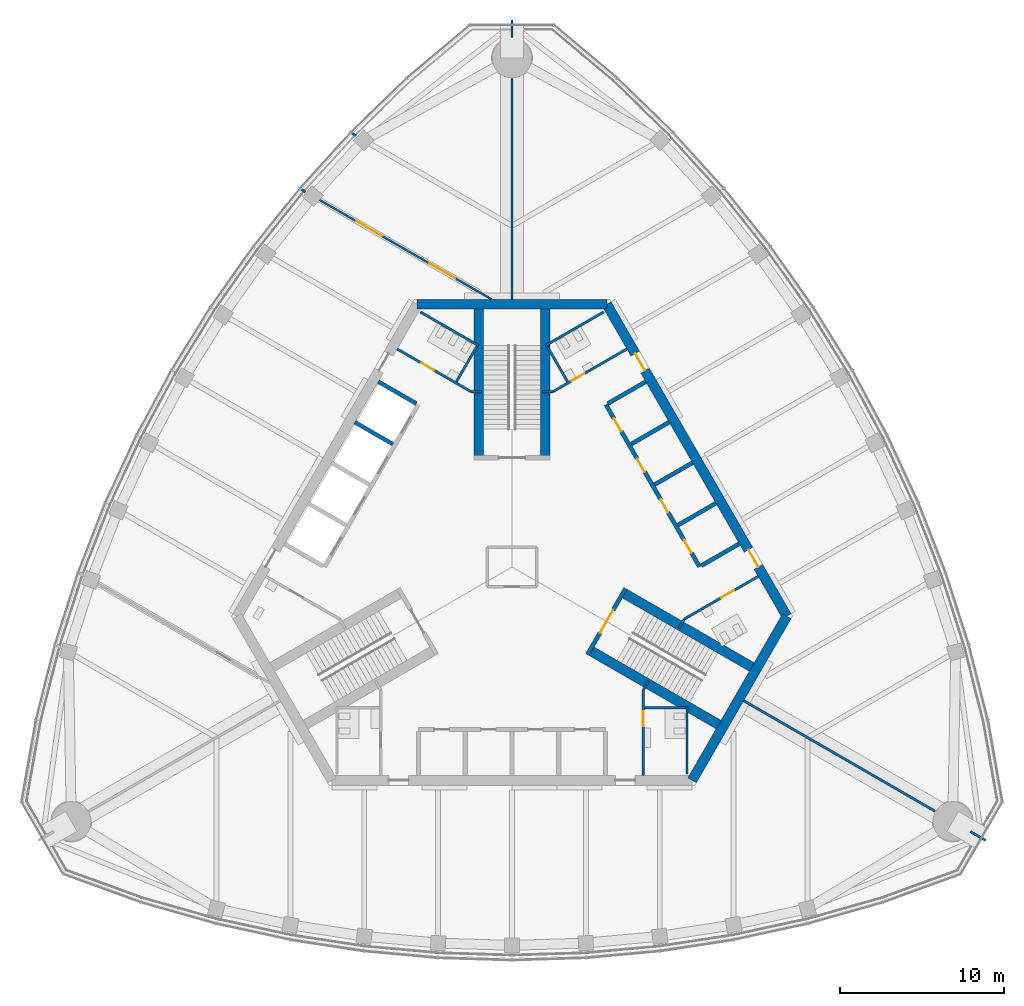
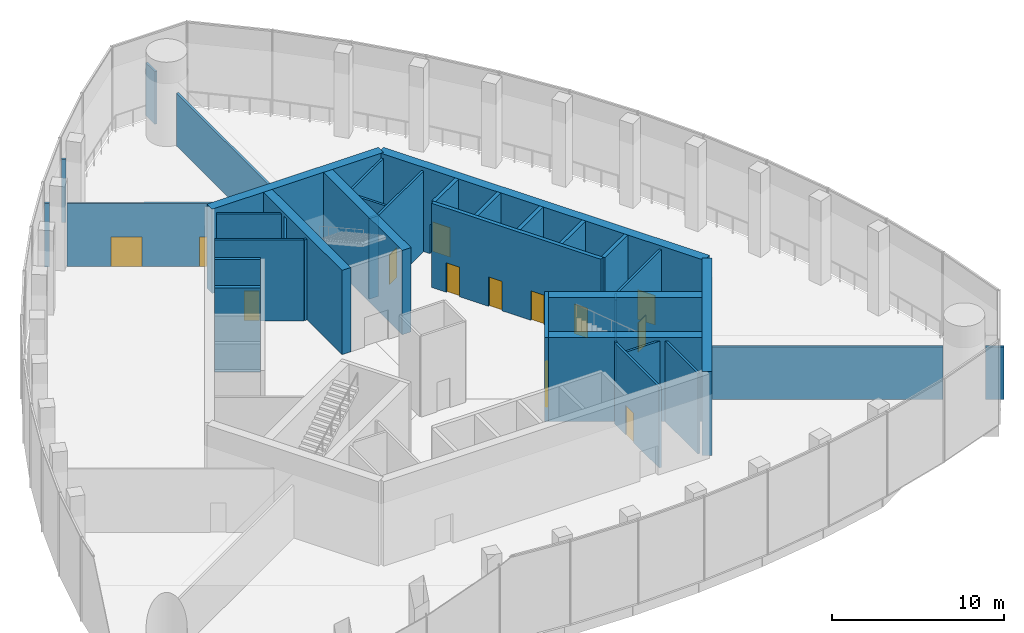
# One storey, part 10 of 15: 37 walls, 13 doors, 13 openings.
"""IFC4 building model written with IfcOpenShell, lengths in metres."""

from ifc_helpers import new_model, si_unit, direction, frame, frame_2d, origin, place, context, subcontext, project, spatial, rectangle, extrude, material, layer, layer_set, type_object, element, fill, save


model = new_model("IFC4")

# Units and contexts
model_context = context("Model", 3, precision=1e-05, world=origin(), true_north=direction((0.0, 1.0)))
body_context = subcontext(model_context, "Body", "Model", "MODEL_VIEW")
ifc_project = project(units=[si_unit("LENGTHUNIT", "METRE"), si_unit("AREAUNIT", "SQUARE_METRE"), si_unit("VOLUMEUNIT", "CUBIC_METRE"), si_unit("PLANEANGLEUNIT", "RADIAN"), si_unit("MASSUNIT", "GRAM", prefix="KILO")], contexts=[model_context])

# Site, building, storey
site_placement = place(None, origin())
site = spatial("IfcSite", under=ifc_project, at=site_placement, CompositionType="ELEMENT")
building_placement = place(site_placement, origin())
building = spatial("IfcBuilding", under=site, at=building_placement, Name="Trefoil Bronze Tower", CompositionType="ELEMENT")
storey_placement = place(building_placement, frame((0.0, 0.0, 322.5)))
storey = spatial("IfcBuildingStorey", under=building, at=storey_placement, Name="L74", CompositionType="ELEMENT", Elevation=322.5)

# Wall
ifc_material_1 = material(Name="Concrete B80", Category="concrete")
ifc_layer_1 = layer(ifc_material_1, 0.60009765625)
ifc_layer_set_1 = layer_set([ifc_layer_1], Name="Core wall 600")
wall_type_1 = type_object("IfcWallType", Name="Core wall 600", PredefinedType="SHEAR", material=ifc_layer_set_1)
wall_1_placement = place(storey_placement, frame((10.9697265625, -13.0, 0.0), z_axis=(0.0, 0.0, 1.0), x_axis=(0.499995765644, 0.866027848477, 0.0)))
element("IfcWall", 1, at=wall_1_placement, inside=storey, type_object=wall_type_1, Name="Core short wall 1 L74", PredefinedType="SHEAR", context=body_context, shape_type="SweptSolid", body=[
    extrude(rectangle(XDim=11.546875, YDim=0.60009765625, at=frame_2d((5.7734375, 0.0))), origin(), (0.0, 0.0, 1.0), 6.0),
])

# Wall, openings, doors
wall_2_placement = place(storey_placement, frame((16.7431640625, -3.0, 0.0), z_axis=(0.0, 0.0, 1.0), x_axis=(-0.500002442456, 0.866023993627, 0.0)))
wall_2 = element("IfcWall", 2, at=wall_2_placement, inside=storey, type_object=wall_type_1, Name="Core long wall 2 L74", PredefinedType="SHEAR", context=body_context, shape_type="SweptSolid", body=[
    extrude(rectangle(XDim=21.939453125, YDim=0.60009765625, at=frame_2d((10.9697265625, 0.0))), origin(), (0.0, 0.0, 1.0), 6.0),
])
opening_1_placement = place(wall_2_placement, frame((17.269775390625, 0.0, 0.0)))
opening_1 = element("IfcOpeningElement", 3, at=opening_1_placement, cuts=wall_2, Name="Opening D2", PredefinedType="OPENING", context=body_context, shape_type="SweptSolid", body=[
    extrude(rectangle(XDim=1.199951171875, YDim=2.10009765625, at=frame_2d((0.60009765625, 1.050048828125))), frame((0.0, 0.31005859375, 0.0), z_axis=(0.0, -1.0, 0.0), x_axis=(1.0, 0.0, 0.0)), (0.0, 0.0, 1.0), 0.6201171875),
])
opening_2_placement = place(wall_2_placement, frame((3.4697265625, 0.0, 0.0)))
opening_2 = element("IfcOpeningElement", 4, at=opening_2_placement, cuts=wall_2, Name="Opening D2", PredefinedType="OPENING", context=body_context, shape_type="SweptSolid", body=[
    extrude(rectangle(XDim=1.199951171875, YDim=2.10009765625, at=frame_2d((0.60009765625, 1.050048828125))), frame((0.0, 0.31005859375, 0.0), z_axis=(0.0, -1.0, 0.0), x_axis=(1.0, 0.0, 0.0)), (0.0, 0.0, 1.0), 0.6201171875),
])
ifc_material_2 = material(Name="Steel door", Category="steel")
door_type_1 = type_object("IfcDoorType", Name="Lobby door 1200", OperationType="SINGLE_SWING_RIGHT", PredefinedType="DOOR", material=ifc_material_2)
door_1_placement = place(opening_1_placement, origin())
door_1 = element("IfcDoor", 5, at=door_1_placement, inside=storey, type_object=door_type_1, Name="Lobby door F2+ L74", OperationType="SINGLE_SWING_RIGHT", OverallHeight=2.10009765625, OverallWidth=1.199951171875, PredefinedType="DOOR", context=body_context, shape_type="SweptSolid", body=[
    extrude(rectangle(XDim=1.199951171875, YDim=2.10009765625, at=frame_2d((0.60009765625, 1.050048828125))), frame((0.0, 0.02490234375, 0.0), z_axis=(0.0, -1.0, 0.0), x_axis=(1.0, 0.0, 0.0)), (0.0, 0.0, 1.0), 0.050048828125),
])
fill(opening_1, door_1)
door_2_placement = place(opening_2_placement, origin())
door_2 = element("IfcDoor", 6, at=door_2_placement, inside=storey, type_object=door_type_1, Name="Lobby door F2- L74", OperationType="SINGLE_SWING_LEFT", OverallHeight=2.10009765625, OverallWidth=1.199951171875, PredefinedType="DOOR", context=body_context, shape_type="SweptSolid", body=[
    extrude(rectangle(XDim=1.199951171875, YDim=2.10009765625, at=frame_2d((0.60009765625, 1.050048828125))), frame((0.0, 0.02490234375, 0.0), z_axis=(0.0, -1.0, 0.0), x_axis=(1.0, 0.0, 0.0)), (0.0, 0.0, 1.0), 0.050048828125),
])
fill(opening_2, door_2)

# Wall
wall_3_placement = place(storey_placement, frame((5.7734375, 16.0, 0.0), z_axis=(0.0, 0.0, 1.0), x_axis=(-1.0, 0.0, 0.0)))
element("IfcWall", 7, at=wall_3_placement, inside=storey, type_object=wall_type_1, Name="Core short wall 2 L74", PredefinedType="SHEAR", context=body_context, shape_type="SweptSolid", body=[
    extrude(rectangle(XDim=11.546875, YDim=0.60009765625, at=frame_2d((5.7734375, 0.0))), origin(), (0.0, 0.0, 1.0), 6.0),
])

# Wall, openings, doors
ifc_material_3 = material(Name="Glazed partition", Category="glass")
ifc_layer_2 = layer(ifc_material_3, 0.1201171875)
ifc_layer_set_2 = layer_set([ifc_layer_2], Name="Glazed partition 120")
wall_type_2 = type_object("IfcWallType", Name="Glazed partition 120", PredefinedType="PARTITIONING", material=ifc_layer_set_2)
wall_4_placement = place(storey_placement, frame((-1.249755859375, 16.31005859375, 0.0), z_axis=(0.0, 0.0, 1.0), x_axis=(-0.866032758387, 0.499987261238, 0.0)))
wall_4 = element("IfcWall", 8, at=wall_4_placement, inside=storey, type_object=wall_type_2, Name="Partition F3 L74", PredefinedType="PARTITIONING", context=body_context, shape_type="SweptSolid", body=[
    extrude(rectangle(XDim=12.077392578125, YDim=0.1201171875, at=frame_2d((6.03857421875, 0.0))), origin(), (0.0, 0.0, 1.0), 4.5),
])
opening_3_placement = place(wall_4_placement, frame((2.550048828125, 0.0, 0.0)))
opening_3 = element("IfcOpeningElement", 9, at=opening_3_placement, cuts=wall_4, Name="Opening D10", PredefinedType="OPENING", context=body_context, shape_type="SweptSolid", body=[
    extrude(rectangle(XDim=1.800048828125, YDim=2.10009765625, at=frame_2d((0.89990234375, 1.050048828125))), frame((0.0, 0.070068359375, 0.0), z_axis=(0.0, -1.0, 0.0), x_axis=(1.0, 0.0, 0.0)), (0.0, 0.0, 1.0), 0.14013671875),
])
opening_4_placement = place(wall_4_placement, frame((7.699951171875, 0.0, 0.0)))
opening_4 = element("IfcOpeningElement", 10, at=opening_4_placement, cuts=wall_4, Name="Opening D10", PredefinedType="OPENING", context=body_context, shape_type="SweptSolid", body=[
    extrude(rectangle(XDim=1.800048828125, YDim=2.10009765625, at=frame_2d((0.89990234375, 1.050048828125))), frame((0.0, 0.070068359375, 0.0), z_axis=(0.0, -1.0, 0.0), x_axis=(1.0, 0.0, 0.0)), (0.0, 0.0, 1.0), 0.14013671875),
])
ifc_material_4 = material(Name="Timber door", Category="wood")
door_type_2 = type_object("IfcDoorType", Name="Double door 1800", OperationType="DOUBLE_DOOR_SINGLE_SWING", PredefinedType="DOOR", material=ifc_material_4)
door_3_placement = place(opening_3_placement, origin())
door_3 = element("IfcDoor", 11, at=door_3_placement, inside=storey, type_object=door_type_2, Name="Cafe door F3 L74", OperationType="DOUBLE_DOOR_SINGLE_SWING", OverallHeight=2.10009765625, OverallWidth=1.800048828125, PredefinedType="DOOR", context=body_context, shape_type="SweptSolid", body=[
    extrude(rectangle(XDim=1.800048828125, YDim=2.10009765625, at=frame_2d((0.89990234375, 1.050048828125))), frame((0.0, 0.02490234375, 0.0), z_axis=(0.0, -1.0, 0.0), x_axis=(1.0, 0.0, 0.0)), (0.0, 0.0, 1.0), 0.050048828125),
])
fill(opening_3, door_3)
door_4_placement = place(opening_4_placement, origin())
door_4 = element("IfcDoor", 12, at=door_4_placement, inside=storey, type_object=door_type_2, Name="Cafe door F3 L74", OperationType="DOUBLE_DOOR_SINGLE_SWING", OverallHeight=2.10009765625, OverallWidth=1.800048828125, PredefinedType="DOOR", context=body_context, shape_type="SweptSolid", body=[
    extrude(rectangle(XDim=1.800048828125, YDim=2.10009765625, at=frame_2d((0.89990234375, 1.050048828125))), frame((0.0, 0.02490234375, 0.0), z_axis=(0.0, -1.0, 0.0), x_axis=(1.0, 0.0, 0.0)), (0.0, 0.0, 1.0), 0.050048828125),
])
fill(opening_4, door_4)

# Wall, opening, door
ifc_material_5 = material(Name="Gypsum board on steel studs", Category="steel")
ifc_layer_3 = layer(ifc_material_5, 0.14990234375)
ifc_layer_set_3 = layer_set([ifc_layer_3], Name="Partition 150")
wall_type_3 = type_object("IfcWallType", Name="Partition 150", PredefinedType="PARTITIONING", material=ifc_layer_set_3)
wall_5_placement = place(storey_placement, frame((8.0, -7.5, 0.0), z_axis=(0.0, 0.0, 1.0), x_axis=(0.0, -1.0, 0.0)))
wall_5 = element("IfcWall", 13, at=wall_5_placement, inside=storey, type_object=wall_type_3, Name="Passage wall F1+ L74", PredefinedType="PARTITIONING", context=body_context, shape_type="SweptSolid", body=[
    extrude(rectangle(XDim=5.199951171875, YDim=0.14990234375, at=frame_2d((2.60009765625, 0.0))), origin(), (0.0, 0.0, 1.0), 5.75),
])
opening_5_placement = place(wall_5_placement, frame((1.300048828125, 0.0, 0.0)))
opening_5 = element("IfcOpeningElement", 14, at=opening_5_placement, cuts=wall_5, Name="Opening D3", PredefinedType="OPENING", context=body_context, shape_type="SweptSolid", body=[
    extrude(rectangle(XDim=0.89990234375, YDim=2.10009765625, at=frame_2d((0.449951171875, 1.050048828125))), frame((0.0, 0.0849609375, 0.0), z_axis=(0.0, -1.0, 0.0), x_axis=(1.0, 0.0, 0.0)), (0.0, 0.0, 1.0), 0.169921875),
])
ifc_material_6 = material(Name="Timber door", Category="wood")
door_type_3 = type_object("IfcDoorType", Name="WC door 900", OperationType="SINGLE_SWING_LEFT", PredefinedType="DOOR", material=ifc_material_6)
door_5_placement = place(opening_5_placement, origin())
door_5 = element("IfcDoor", 15, at=door_5_placement, inside=storey, type_object=door_type_3, Name="WC (men) door L74", OperationType="SINGLE_SWING_LEFT", OverallHeight=2.10009765625, OverallWidth=0.89990234375, PredefinedType="DOOR", context=body_context, shape_type="SweptSolid", body=[
    extrude(rectangle(XDim=0.89990234375, YDim=2.10009765625, at=frame_2d((0.449951171875, 1.050048828125))), frame((0.0, 0.02490234375, 0.0), z_axis=(0.0, -1.0, 0.0), x_axis=(1.0, 0.0, 0.0)), (0.0, 0.0, 1.0), 0.050048828125),
])
fill(opening_5, door_5)

wall_6_placement = place(storey_placement, frame((2.4951171875, 10.67822265625, 0.0), z_axis=(0.0, 0.0, 1.0), x_axis=(0.866021400173, 0.500006934395, 0.0)))
wall_6 = element("IfcWall", 16, at=wall_6_placement, inside=storey, type_object=wall_type_3, Name="Passage wall F2+ L74", PredefinedType="PARTITIONING", context=body_context, shape_type="SweptSolid", body=[
    extrude(rectangle(XDim=5.2001953125, YDim=0.14990234375, at=frame_2d((2.60009765625, 0.0))), origin(), (0.0, 0.0, 1.0), 5.75),
])
opening_6_placement = place(wall_6_placement, frame((1.300048828125, 0.0, 0.0)))
opening_6 = element("IfcOpeningElement", 17, at=opening_6_placement, cuts=wall_6, Name="Opening D3", PredefinedType="OPENING", context=body_context, shape_type="SweptSolid", body=[
    extrude(rectangle(XDim=0.89990234375, YDim=2.10009765625, at=frame_2d((0.449951171875, 1.050048828125))), frame((0.0, 0.0849609375, 0.0), z_axis=(0.0, -1.0, 0.0), x_axis=(1.0, 0.0, 0.0)), (0.0, 0.0, 1.0), 0.169921875),
])
door_6_placement = place(opening_6_placement, origin())
door_6 = element("IfcDoor", 18, at=door_6_placement, inside=storey, type_object=door_type_3, Name="WC (men) door L74", OperationType="SINGLE_SWING_LEFT", OverallHeight=2.10009765625, OverallWidth=0.89990234375, PredefinedType="DOOR", context=body_context, shape_type="SweptSolid", body=[
    extrude(rectangle(XDim=0.89990234375, YDim=2.10009765625, at=frame_2d((0.449951171875, 1.050048828125))), frame((0.0, 0.02490234375, 0.0), z_axis=(0.0, -1.0, 0.0), x_axis=(1.0, 0.0, 0.0)), (0.0, 0.0, 1.0), 0.050048828125),
])
fill(opening_6, door_6)

wall_7_placement = place(storey_placement, frame((10.4951171875, -3.17822265625, 0.0), z_axis=(0.0, 0.0, 1.0), x_axis=(0.866021400173, 0.500006934395, 0.0)))
wall_7 = element("IfcWall", 19, at=wall_7_placement, inside=storey, type_object=wall_type_3, Name="Passage wall F2- L74", PredefinedType="PARTITIONING", context=body_context, shape_type="SweptSolid", body=[
    extrude(rectangle(XDim=5.2001953125, YDim=0.14990234375, at=frame_2d((2.60009765625, 0.0))), origin(), (0.0, 0.0, 1.0), 5.75),
])
opening_7_placement = place(wall_7_placement, frame((2.60009765625, 0.0, 0.0)))
opening_7 = element("IfcOpeningElement", 20, at=opening_7_placement, cuts=wall_7, Name="Opening D3", PredefinedType="OPENING", context=body_context, shape_type="SweptSolid", body=[
    extrude(rectangle(XDim=0.89990234375, YDim=2.10009765625, at=frame_2d((0.449951171875, 1.050048828125))), frame((0.0, 0.0849609375, 0.0), z_axis=(0.0, -1.0, 0.0), x_axis=(1.0, 0.0, 0.0)), (0.0, 0.0, 1.0), 0.169921875),
])
door_7_placement = place(opening_7_placement, frame((0.89990234375, 0.0, 0.0), z_axis=(0.0, 0.0, 1.0), x_axis=(-1.0, 0.0, 0.0)))
door_7 = element("IfcDoor", 21, at=door_7_placement, inside=storey, type_object=door_type_3, Name="WC (women) door L74", OperationType="SINGLE_SWING_LEFT", OverallHeight=2.10009765625, OverallWidth=0.89990234375, PredefinedType="DOOR", context=body_context, shape_type="SweptSolid", body=[
    extrude(rectangle(XDim=0.89990234375, YDim=2.10009765625, at=frame_2d((0.449951171875, 1.050048828125))), frame((0.0, 0.02490234375, 0.0), z_axis=(0.0, -1.0, 0.0), x_axis=(1.0, 0.0, 0.0)), (0.0, 0.0, 1.0), 0.050048828125),
])
fill(opening_7, door_7)

wall_8_placement = place(storey_placement, frame((-2.4951171875, 10.67822265625, 0.0), z_axis=(0.0, 0.0, 1.0), x_axis=(-0.866021400173, 0.500006934395, 0.0)))
wall_8 = element("IfcWall", 22, at=wall_8_placement, inside=storey, type_object=wall_type_3, Name="Passage wall F3- L74", PredefinedType="PARTITIONING", context=body_context, shape_type="SweptSolid", body=[
    extrude(rectangle(XDim=5.2001953125, YDim=0.14990234375, at=frame_2d((2.60009765625, 0.0))), origin(), (0.0, 0.0, 1.0), 5.75),
])
opening_8_placement = place(wall_8_placement, frame((2.60009765625, 0.0, 0.0)))
opening_8 = element("IfcOpeningElement", 23, at=opening_8_placement, cuts=wall_8, Name="Opening D3", PredefinedType="OPENING", context=body_context, shape_type="SweptSolid", body=[
    extrude(rectangle(XDim=0.89990234375, YDim=2.10009765625, at=frame_2d((0.449951171875, 1.050048828125))), frame((0.0, 0.0849609375, 0.0), z_axis=(0.0, -1.0, 0.0), x_axis=(1.0, 0.0, 0.0)), (0.0, 0.0, 1.0), 0.169921875),
])
door_8_placement = place(opening_8_placement, frame((0.89990234375, 0.0, 0.0), z_axis=(0.0, 0.0, 1.0), x_axis=(-1.0, 0.0, 0.0)))
door_8 = element("IfcDoor", 24, at=door_8_placement, inside=storey, type_object=door_type_3, Name="WC (women) door L74", OperationType="SINGLE_SWING_RIGHT", OverallHeight=2.10009765625, OverallWidth=0.89990234375, PredefinedType="DOOR", context=body_context, shape_type="SweptSolid", body=[
    extrude(rectangle(XDim=0.89990234375, YDim=2.10009765625, at=frame_2d((0.449951171875, 1.050048828125))), frame((0.0, 0.02490234375, 0.0), z_axis=(0.0, -1.0, 0.0), x_axis=(1.0, 0.0, 0.0)), (0.0, 0.0, 1.0), 0.050048828125),
])
fill(opening_8, door_8)

# Walls
for number, where, z_axis, x_axis, name in (
    (25, (8.0, -7.5, 0.0), (0.0, 0.0, 1.0), (0.499842556608, 0.866116284689, 0.0), "WC wall ST1-1 L74"),
    (26, (10.4951171875, -3.17822265625, 0.0), (0.0, 0.0, 1.0), (-0.499842556608, -0.866116284689, 0.0), "WC wall ST1+1 L74"),
):
    element("IfcWall", number, at=place(storey_placement, frame(where, z_axis=z_axis, x_axis=x_axis)), inside=storey, type_object=wall_type_3, Name=name, PredefinedType="PARTITIONING", context=body_context, shape_type="SweptSolid", body=[
        extrude(rectangle(XDim=0.645263671875, YDim=0.14990234375, at=frame_2d((0.32275390625, 0.0))), origin(), (0.0, 0.0, 1.0), 5.75),
    ])
for number, where, z_axis, x_axis, name in (
    (27, (2.4951171875, 10.67822265625, 0.0), (0.0, 0.0, 1.0), (-1.0, 0.0, 0.0), "WC wall ST2-1 L74"),
    (28, (-2.4951171875, 10.67822265625, 0.0), (0.0, 0.0, 1.0), (1.0, 0.0, 0.0), "WC wall ST2+1 L74"),
):
    element("IfcWall", number, at=place(storey_placement, frame(where, z_axis=z_axis, x_axis=x_axis)), inside=storey, type_object=wall_type_3, Name=name, PredefinedType="PARTITIONING", context=body_context, shape_type="SweptSolid", body=[
        extrude(rectangle(XDim=0.64501953125, YDim=0.14990234375, at=frame_2d((0.322509765625, 0.0))), origin(), (0.0, 0.0, 1.0), 5.75),
    ])
wall_9_placement = place(storey_placement, frame((10.659912109375, -8.5, 0.0), z_axis=(0.0, 0.0, 1.0), x_axis=(0.0, -1.0, 0.0)))
element("IfcWall", 29, at=wall_9_placement, inside=storey, type_object=wall_type_3, Name="WC partition WC (men) L74", PredefinedType="PARTITIONING", context=body_context, shape_type="SweptSolid", body=[
    extrude(rectangle(XDim=4.10009765625, YDim=0.14990234375, at=frame_2d((2.050048828125, 0.0))), origin(), (0.0, 0.0, 1.0), 5.75),
])
wall_10_placement = place(storey_placement, frame((8.074951171875, -8.574951171875, 0.0), z_axis=(0.0, 0.0, 1.0), x_axis=(1.0, 0.0, 0.0)))
element("IfcWall", 30, at=wall_10_placement, inside=storey, type_object=wall_type_3, Name="WC partition WC (men) L74", PredefinedType="PARTITIONING", context=body_context, shape_type="SweptSolid", body=[
    extrude(rectangle(XDim=2.510009765625, YDim=0.14990234375, at=frame_2d((1.2548828125, 0.0))), origin(), (0.0, 0.0, 1.0), 5.75),
])
wall_11_placement = place(storey_placement, frame((2.03125, 13.48193359375, 0.0), z_axis=(0.0, 0.0, 1.0), x_axis=(0.866050731258, 0.499956128963, 0.0)))
element("IfcWall", 31, at=wall_11_placement, inside=storey, type_object=wall_type_3, Name="WC partition WC (men) L74", PredefinedType="PARTITIONING", context=body_context, shape_type="SweptSolid", body=[
    extrude(rectangle(XDim=4.099853515625, YDim=0.14990234375, at=frame_2d((2.0498046875, 0.0))), origin(), (0.0, 0.0, 1.0), 5.75),
])
wall_12_placement = place(storey_placement, frame((3.388671875, 11.28076171875, 0.0), z_axis=(0.0, 0.0, 1.0), x_axis=(-0.499989096993, 0.866031698547, 0.0)))
element("IfcWall", 32, at=wall_12_placement, inside=storey, type_object=wall_type_3, Name="WC partition WC (men) L74", PredefinedType="PARTITIONING", context=body_context, shape_type="SweptSolid", body=[
    extrude(rectangle(XDim=2.509765625, YDim=0.14990234375, at=frame_2d((1.2548828125, 0.0))), origin(), (0.0, 0.0, 1.0), 5.75),
])
wall_13_placement = place(storey_placement, frame((-2.03125, 13.48193359375, 0.0), z_axis=(0.0, 0.0, 1.0), x_axis=(-0.866050731258, 0.499956128963, 0.0)))
element("IfcWall", 33, at=wall_13_placement, inside=storey, type_object=wall_type_3, Name="WC partition WC (women) L74", PredefinedType="PARTITIONING", context=body_context, shape_type="SweptSolid", body=[
    extrude(rectangle(XDim=4.099853515625, YDim=0.14990234375, at=frame_2d((2.0498046875, 0.0))), origin(), (0.0, 0.0, 1.0), 5.75),
])
wall_14_placement = place(storey_placement, frame((-3.388671875, 11.28076171875, 0.0), z_axis=(0.0, 0.0, 1.0), x_axis=(0.499989096993, 0.866031698547, 0.0)))
element("IfcWall", 34, at=wall_14_placement, inside=storey, type_object=wall_type_3, Name="WC partition WC (women) L74", PredefinedType="PARTITIONING", context=body_context, shape_type="SweptSolid", body=[
    extrude(rectangle(XDim=2.509765625, YDim=0.14990234375, at=frame_2d((1.2548828125, 0.0))), origin(), (0.0, 0.0, 1.0), 5.75),
])
wall_15_placement = place(storey_placement, frame((-12.58935546875, 22.85693359375, 0.0), z_axis=(0.0, 0.0, 1.0), x_axis=(-0.865982457891, 0.500074377092, 0.0)))
element("IfcWall", 35, at=wall_15_placement, inside=storey, type_object=wall_type_3, Name="Partition F3 L74", PredefinedType="PARTITIONING", context=body_context, shape_type="SweptSolid", body=[
    extrude(rectangle(XDim=0.2802734375, YDim=0.14990234375, at=frame_2d((0.14013671875, 0.0))), origin(), (0.0, 0.0, 1.0), 4.5),
])
wall_16_placement = place(storey_placement, frame((-9.503662109375, 26.271484375, 0.0), z_axis=(0.0, 0.0, 1.0), x_axis=(-0.866004557827, 0.500036104519, 0.0)))
element("IfcWall", 36, at=wall_16_placement, inside=storey, type_object=wall_type_3, Name="Partition F3 L74", PredefinedType="PARTITIONING", context=body_context, shape_type="SweptSolid", body=[
    extrude(rectangle(XDim=0.26953125, YDim=0.14990234375, at=frame_2d((0.134765625, 0.0))), origin(), (0.0, 0.0, 1.0), 4.5),
])
ifc_material_7 = material(Name="Gypsum board on steel studs", Category="steel")
ifc_layer_4 = layer(ifc_material_7, 0.14990234375)
ifc_layer_set_4 = layer_set([ifc_layer_4], Name="Party wall 150")
wall_type_4 = type_object("IfcWallType", Name="Party wall 150", PredefinedType="PARTITIONING", material=ifc_layer_set_4)
wall_17_placement = place(storey_placement, frame((14.1162109375, -8.14990234375, 0.0), z_axis=(0.0, 0.0, 1.0), x_axis=(0.866020541135, -0.500008422262, 0.0)))
element("IfcWall", 37, at=wall_17_placement, inside=storey, type_object=wall_type_4, Name="Party wall K1 L74", PredefinedType="PARTITIONING", context=body_context, shape_type="SweptSolid", body=[
    extrude(rectangle(XDim=13.449951171875, YDim=0.14990234375, at=frame_2d((6.72509765625, 0.0))), origin(), (0.0, 0.0, 1.0), 3.75),
])
wall_18_placement = place(storey_placement, frame((27.92919921875, -16.125, 0.0), z_axis=(0.0, 0.0, 1.0), x_axis=(0.866086810508, -0.499893625349, 0.0)))
element("IfcWall", 38, at=wall_18_placement, inside=storey, type_object=wall_type_4, Name="Party wall K1 L74", PredefinedType="PARTITIONING", context=body_context, shape_type="SweptSolid", body=[
    extrude(rectangle(XDim=1.070068359375, YDim=0.14990234375, at=frame_2d((0.53515625, 0.0))), origin(), (0.0, 0.0, 1.0), 3.75),
])
wall_19_placement = place(storey_placement, frame((0.0, 16.300048828125, 0.0), z_axis=(0.0, 0.0, 1.0), x_axis=(0.0, 1.0, 0.0)))
element("IfcWall", 39, at=wall_19_placement, inside=storey, type_object=wall_type_4, Name="Party wall K2 L74", PredefinedType="PARTITIONING", context=body_context, shape_type="SweptSolid", body=[
    extrude(rectangle(XDim=13.449951171875, YDim=0.14990234375, at=frame_2d((6.72509765625, 0.0))), origin(), (0.0, 0.0, 1.0), 3.75),
])
wall_20_placement = place(storey_placement, frame((0.0, 32.25, 0.0), z_axis=(0.0, 0.0, 1.0), x_axis=(0.0, 1.0, 0.0)))
element("IfcWall", 40, at=wall_20_placement, inside=storey, type_object=wall_type_4, Name="Party wall K2 L74", PredefinedType="PARTITIONING", context=body_context, shape_type="SweptSolid", body=[
    extrude(rectangle(XDim=1.06982421875, YDim=0.14990234375, at=frame_2d((0.534912109375, 0.0))), origin(), (0.0, 0.0, 1.0), 3.75),
])

# Wall, openings, doors
ifc_material_8 = material(Name="Concrete B80", Category="concrete")
ifc_layer_5 = layer(ifc_material_8, 0.25)
ifc_layer_set_5 = layer_set([ifc_layer_5], Name="Shaft wall 250")
wall_type_5 = type_object("IfcWallType", Name="Shaft wall 250", PredefinedType="SHEAR", material=ifc_layer_set_5)
wall_21_placement = place(storey_placement, frame((11.423583984375, 0.013671875, 0.0), z_axis=(0.0, 0.0, 1.0), x_axis=(-0.500001763848, 0.866024385424, 0.0)))
wall_21 = element("IfcWall", 41, at=wall_21_placement, inside=storey, type_object=wall_type_5, Name="Lift shaft front wall B L74", PredefinedType="SHEAR", context=body_context, shape_type="SweptSolid", body=[
    extrude(rectangle(XDim=11.39990234375, YDim=0.25, at=frame_2d((5.699951171875, 0.0))), origin(), (0.0, 0.0, 1.0), 6.0),
])
opening_9_placement = place(wall_21_placement, frame((0.97509765625, 0.0, 0.0)))
opening_9 = element("IfcOpeningElement", 42, at=opening_9_placement, cuts=wall_21, Name="Opening D12", PredefinedType="OPENING", context=body_context, shape_type="SweptSolid", body=[
    extrude(rectangle(XDim=0.89990234375, YDim=2.10009765625, at=frame_2d((0.449951171875, 1.050048828125))), frame((0.0, 0.135009765625, 0.0), z_axis=(0.0, -1.0, 0.0), x_axis=(1.0, 0.0, 0.0)), (0.0, 0.0, 1.0), 0.27001953125),
])
opening_10_placement = place(wall_21_placement, frame((3.824951171875, 0.0, 0.0)))
opening_10 = element("IfcOpeningElement", 43, at=opening_10_placement, cuts=wall_21, Name="Opening D12", PredefinedType="OPENING", context=body_context, shape_type="SweptSolid", body=[
    extrude(rectangle(XDim=0.89990234375, YDim=2.10009765625, at=frame_2d((0.449951171875, 1.050048828125))), frame((0.0, 0.135009765625, 0.0), z_axis=(0.0, -1.0, 0.0), x_axis=(1.0, 0.0, 0.0)), (0.0, 0.0, 1.0), 0.27001953125),
])
opening_11_placement = place(wall_21_placement, frame((6.675048828125, 0.0, 0.0)))
opening_11 = element("IfcOpeningElement", 44, at=opening_11_placement, cuts=wall_21, Name="Opening D12", PredefinedType="OPENING", context=body_context, shape_type="SweptSolid", body=[
    extrude(rectangle(XDim=0.89990234375, YDim=2.10009765625, at=frame_2d((0.449951171875, 1.050048828125))), frame((0.0, 0.135009765625, 0.0), z_axis=(0.0, -1.0, 0.0), x_axis=(1.0, 0.0, 0.0)), (0.0, 0.0, 1.0), 0.27001953125),
])
opening_12_placement = place(wall_21_placement, frame((9.52490234375, 0.0, 0.0)))
opening_12 = element("IfcOpeningElement", 45, at=opening_12_placement, cuts=wall_21, Name="Opening D12", PredefinedType="OPENING", context=body_context, shape_type="SweptSolid", body=[
    extrude(rectangle(XDim=0.89990234375, YDim=2.10009765625, at=frame_2d((0.449951171875, 1.050048828125))), frame((0.0, 0.135009765625, 0.0), z_axis=(0.0, -1.0, 0.0), x_axis=(1.0, 0.0, 0.0)), (0.0, 0.0, 1.0), 0.27001953125),
])
ifc_material_9 = material(Name="Steel door", Category="steel")
door_type_4 = type_object("IfcDoorType", Name="Shaft room door 900", OperationType="SINGLE_SWING_LEFT", PredefinedType="DOOR", material=ifc_material_9)
door_9_placement = place(opening_9_placement, frame((0.89990234375, 0.0, 0.0), z_axis=(0.0, 0.0, 1.0), x_axis=(-1.0, 0.0, 0.0)))
door_9 = element("IfcDoor", 46, at=door_9_placement, inside=storey, type_object=door_type_4, Name="Shaft room door B1 L74", OperationType="SINGLE_SWING_LEFT", OverallHeight=2.10009765625, OverallWidth=0.89990234375, PredefinedType="DOOR", context=body_context, shape_type="SweptSolid", body=[
    extrude(rectangle(XDim=0.89990234375, YDim=2.10009765625, at=frame_2d((0.449951171875, 1.050048828125))), frame((0.0, 0.02490234375, 0.0), z_axis=(0.0, -1.0, 0.0), x_axis=(1.0, 0.0, 0.0)), (0.0, 0.0, 1.0), 0.050048828125),
])
fill(opening_9, door_9)
door_10_placement = place(opening_10_placement, frame((0.89990234375, 0.0, 0.0), z_axis=(0.0, 0.0, 1.0), x_axis=(-1.0, 0.0, 0.0)))
door_10 = element("IfcDoor", 47, at=door_10_placement, inside=storey, type_object=door_type_4, Name="Shaft room door B2 L74", OperationType="SINGLE_SWING_RIGHT", OverallHeight=2.10009765625, OverallWidth=0.89990234375, PredefinedType="DOOR", context=body_context, shape_type="SweptSolid", body=[
    extrude(rectangle(XDim=0.89990234375, YDim=2.10009765625, at=frame_2d((0.449951171875, 1.050048828125))), frame((0.0, 0.02490234375, 0.0), z_axis=(0.0, -1.0, 0.0), x_axis=(1.0, 0.0, 0.0)), (0.0, 0.0, 1.0), 0.050048828125),
])
fill(opening_10, door_10)
door_11_placement = place(opening_11_placement, frame((0.89990234375, 0.0, 0.0), z_axis=(0.0, 0.0, 1.0), x_axis=(-1.0, 0.0, 0.0)))
door_11 = element("IfcDoor", 48, at=door_11_placement, inside=storey, type_object=door_type_4, Name="Shaft room door B3 L74", OperationType="SINGLE_SWING_RIGHT", OverallHeight=2.10009765625, OverallWidth=0.89990234375, PredefinedType="DOOR", context=body_context, shape_type="SweptSolid", body=[
    extrude(rectangle(XDim=0.89990234375, YDim=2.10009765625, at=frame_2d((0.449951171875, 1.050048828125))), frame((0.0, 0.02490234375, 0.0), z_axis=(0.0, -1.0, 0.0), x_axis=(1.0, 0.0, 0.0)), (0.0, 0.0, 1.0), 0.050048828125),
])
fill(opening_11, door_11)
door_12_placement = place(opening_12_placement, frame((0.89990234375, 0.0, 0.0), z_axis=(0.0, 0.0, 1.0), x_axis=(-1.0, 0.0, 0.0)))
door_12 = element("IfcDoor", 49, at=door_12_placement, inside=storey, type_object=door_type_4, Name="Shaft room door B4 L74", OperationType="SINGLE_SWING_RIGHT", OverallHeight=2.10009765625, OverallWidth=0.89990234375, PredefinedType="DOOR", context=body_context, shape_type="SweptSolid", body=[
    extrude(rectangle(XDim=0.89990234375, YDim=2.10009765625, at=frame_2d((0.449951171875, 1.050048828125))), frame((0.0, 0.02490234375, 0.0), z_axis=(0.0, -1.0, 0.0), x_axis=(1.0, 0.0, 0.0)), (0.0, 0.0, 1.0), 0.050048828125),
])
fill(opening_12, door_12)

# Walls
for number, where, z_axis, x_axis, name in (
    (50, (11.531982421875, 0.076171875, 0.0), (0.0, 0.0, 1.0), (0.86604424267, 0.499967368674, 0.0), "Lift shaft side wall B0 L74"),
    (51, (10.10693359375, 2.54443359375, 0.0), (0.0, 0.0, 1.0), (0.86604424267, 0.499967368674, 0.0), "Lift shaft side wall B1 L74"),
    (52, (8.681884765625, 5.012451171875, 0.0), (0.0, 0.0, 1.0), (0.866004723184, 0.50003581814, 0.0), "Lift shaft side wall B2 L74"),
    (53, (7.2568359375, 7.480712890625, 0.0), (0.0, 0.0, 1.0), (0.86604424267, 0.499967368674, 0.0), "Lift shaft side wall B3 L74"),
    (54, (5.831787109375, 9.94873046875, 0.0), (0.0, 0.0, 1.0), (0.866004723184, 0.50003581814, 0.0), "Lift shaft side wall B4 L74"),
    (55, (-5.831787109375, 9.94873046875, 0.0), (0.0, 0.0, 1.0), (-0.866004723184, 0.50003581814, 0.0), "Lift shaft side wall C0 L74"),
    (56, (-7.2568359375, 7.480712890625, 0.0), (0.0, 0.0, 1.0), (-0.86604424267, 0.499967368674, 0.0), "Lift shaft side wall C1 L74"),
):
    element("IfcWall", number, at=place(storey_placement, frame(where, z_axis=z_axis, x_axis=x_axis)), inside=storey, type_object=wall_type_5, Name=name, PredefinedType="SHEAR", context=body_context, shape_type="SweptSolid", body=[
        extrude(rectangle(XDim=2.675048828125, YDim=0.25, at=frame_2d((1.33740234375, 0.0))), origin(), (0.0, 0.0, 1.0), 6.0),
    ])

# Wall, opening, door
wall_22_placement = place(storey_placement, frame((4.5966796875, -5.338623046875, 0.0), z_axis=(0.0, 0.0, 1.0), x_axis=(0.499984536904, 0.866034331223, 0.0)))
wall_22 = element("IfcWall", 57, at=wall_22_placement, inside=storey, type_object=wall_type_5, Name="Stair end wall ST1 L74", PredefinedType="SHEAR", context=body_context, shape_type="SweptSolid", body=[
    extrude(rectangle(XDim=4.650146484375, YDim=0.25, at=frame_2d((2.3251953125, 0.0))), origin(), (0.0, 0.0, 1.0), 6.0),
])
opening_13_placement = place(wall_22_placement, frame((1.52490234375, 0.0, 0.0)))
opening_13 = element("IfcOpeningElement", 58, at=opening_13_placement, cuts=wall_22, Name="Opening D1", PredefinedType="OPENING", context=body_context, shape_type="SweptSolid", body=[
    extrude(rectangle(XDim=1.60009765625, YDim=2.10009765625, at=frame_2d((0.800048828125, 1.050048828125))), frame((0.0, 0.135009765625, 0.0), z_axis=(0.0, -1.0, 0.0), x_axis=(1.0, 0.0, 0.0)), (0.0, 0.0, 1.0), 0.27001953125),
])
ifc_material_10 = material(Name="Steel door", Category="steel")
door_type_5 = type_object("IfcDoorType", Name="Stair door 1600", OperationType="DOUBLE_DOOR_SINGLE_SWING", PredefinedType="DOOR", material=ifc_material_10)
door_13_placement = place(opening_13_placement, frame((1.60009765625, 0.0, 0.0), z_axis=(0.0, 0.0, 1.0), x_axis=(-1.0, 0.0, 0.0)))
door_13 = element("IfcDoor", 59, at=door_13_placement, inside=storey, type_object=door_type_5, Name="Stair door ST1 L74", OperationType="DOUBLE_DOOR_SINGLE_SWING", OverallHeight=2.10009765625, OverallWidth=1.60009765625, PredefinedType="DOOR", context=body_context, shape_type="SweptSolid", body=[
    extrude(rectangle(XDim=1.60009765625, YDim=2.10009765625, at=frame_2d((0.800048828125, 1.050048828125))), frame((0.0, 0.02490234375, 0.0), z_axis=(0.0, -1.0, 0.0), x_axis=(1.0, 0.0, 0.0)), (0.0, 0.0, 1.0), 0.050048828125),
])
fill(opening_13, door_13)

# Walls
ifc_material_11 = material(Name="Concrete B80", Category="concrete")
ifc_layer_6 = layer(ifc_material_11, 0.60009765625)
ifc_layer_set_6 = layer_set([ifc_layer_6], Name="Stair wall 600")
wall_type_6 = type_object("IfcWallType", Name="Stair wall 600", PredefinedType="SHEAR", material=ifc_layer_set_6)
wall_23_placement = place(storey_placement, frame((4.638427734375, -5.01611328125, 0.0), z_axis=(0.0, 0.0, 1.0), x_axis=(0.866012320003, -0.50002266109, 0.0)))
element("IfcWall", 60, at=wall_23_placement, inside=storey, type_object=wall_type_6, Name="Stair wall ST1 L74", PredefinedType="SHEAR", context=body_context, shape_type="SweptSolid", body=[
    extrude(rectangle(XDim=9.1748046875, YDim=0.60009765625, at=frame_2d((4.58740234375, 0.0))), origin(), (0.0, 0.0, 1.0), 6.0),
])
for number, where, z_axis, x_axis, name in (
    (61, (6.663330078125, -1.5087890625, 0.0), (0.0, 0.0, 1.0), (0.86603049496, -0.499991181721, 0.0), "Stair wall ST1 L74"),
    (62, (2.02490234375, 6.52490234375, 0.0), (0.0, 0.0, 1.0), (0.0, 1.0, 0.0), "Stair wall ST2 L74"),
    (63, (-2.02490234375, 6.52490234375, 0.0), (0.0, 0.0, 1.0), (0.0, 1.0, 0.0), "Stair wall ST2 L74"),
):
    element("IfcWall", number, at=place(storey_placement, frame(where, z_axis=z_axis, x_axis=x_axis)), inside=storey, type_object=wall_type_6, Name=name, PredefinedType="SHEAR", context=body_context, shape_type="SweptSolid", body=[
        extrude(rectangle(XDim=9.175048828125, YDim=0.60009765625, at=frame_2d((4.58740234375, 0.0))), origin(), (0.0, 0.0, 1.0), 6.0),
    ])

save(model, "model.ifc")
